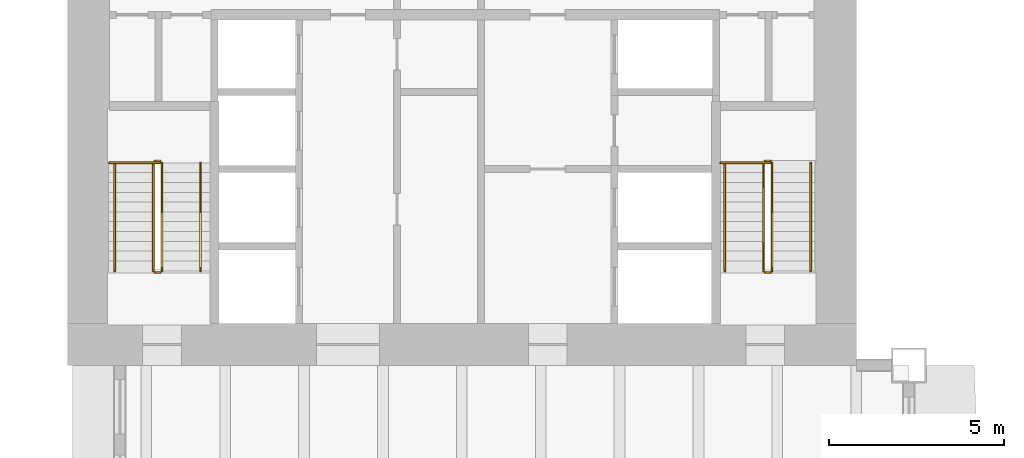
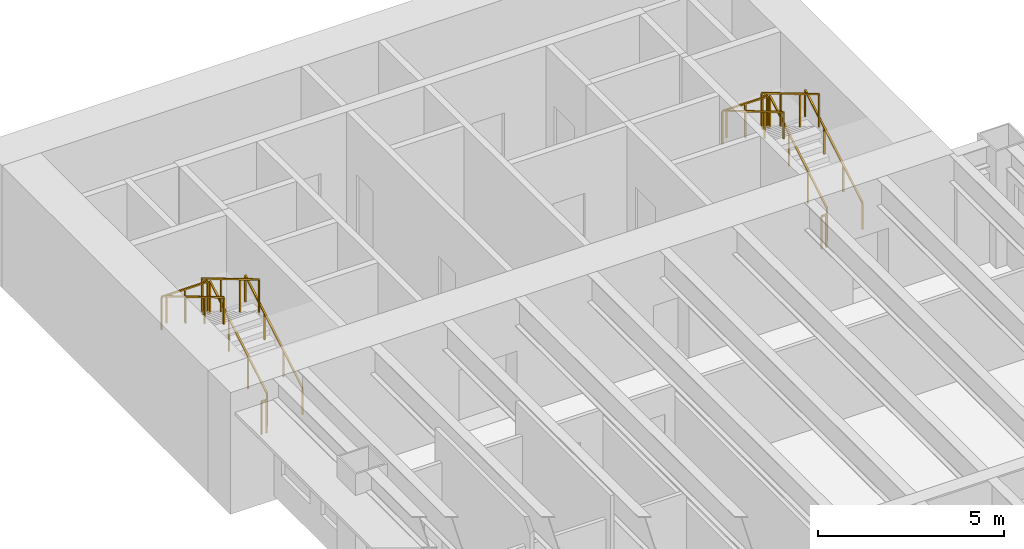
# One storey, part 16 of 16: 14 railings.
"""IFC4 building model written with IfcOpenShell, lengths in metres."""

from ifc_helpers import new_model, si_unit, direction, frame, origin, origin_2d, place, context, subcontext, project, spatial, rectangle, extrude, material, type_object, element, save


model = new_model("IFC4")

# Units and contexts
model_context = context("Model", 3, precision=1e-05, world=origin(), true_north=direction((0.0, 1.0)))
body_context = subcontext(model_context, "Body", "Model", "MODEL_VIEW")
ifc_project = project(units=[si_unit("LENGTHUNIT", "METRE"), si_unit("AREAUNIT", "SQUARE_METRE"), si_unit("VOLUMEUNIT", "CUBIC_METRE"), si_unit("PLANEANGLEUNIT", "RADIAN"), si_unit("MASSUNIT", "GRAM", prefix="KILO")], contexts=[model_context])

# Site, building, storey
site_placement = place(None, origin())
site = spatial("IfcSite", under=ifc_project, at=site_placement, CompositionType="ELEMENT")
building_placement = place(site_placement, origin())
building = spatial("IfcBuilding", under=site, at=building_placement, Name="Sennacour Bend Tower", CompositionType="ELEMENT")
storey_placement = place(building_placement, frame((0.0, 0.0, 123.0)))
storey = spatial("IfcBuildingStorey", under=building, at=storey_placement, Name="L28", CompositionType="ELEMENT", Elevation=123.0)

# Railings
ifc_material = material(Name="Stainless steel", Category="steel")
railing_type_1 = type_object("IfcRailingType", Name="RL-GUARD-1100", PredefinedType="GUARDRAIL", material=ifc_material)
railing_1_placement = place(storey_placement, frame((2.699951171875, 38.699951171875, 0.166748046875)))
element("IfcRailing", 1, at=railing_1_placement, inside=storey, type_object=railing_type_1, Name="L28 SB1 stair guard 1", PredefinedType="GUARDRAIL", context=body_context, shape_type="SweptSolid", body=[
    extrude(rectangle(XDim=0.048095703125, YDim=0.048095703125, at=origin_2d()), frame((0.0, 0.0, 1.076171875), z_axis=(0.0, 0.859308565015, 0.511457515432), x_axis=(-1.0, 0.0, 0.0)), (0.0, 0.0, 1.0), 3.58447265625),
    extrude(rectangle(XDim=0.0419921875, YDim=0.0419921875, at=origin_2d()), origin(), (0.0, 0.0, 1.0), 1.052001953125),
    extrude(rectangle(XDim=0.0419921875, YDim=0.0419921875, at=origin_2d()), frame((0.0, 1.026611328125, 0.611083984375)), (0.0, 0.0, 1.0), 1.052001953125),
    extrude(rectangle(XDim=0.0419921875, YDim=0.0419921875, at=origin_2d()), frame((0.0, 2.053466796875, 1.22216796875)), (0.0, 0.0, 1.0), 1.052001953125),
    extrude(rectangle(XDim=0.0419921875, YDim=0.0419921875, at=origin_2d()), frame((0.0, 3.080078125, 1.833251953125)), (0.0, 0.0, 1.0), 1.052001953125),
])
railing_2_placement = place(storey_placement, frame((2.64990234375, 41.830078125, 2.0)))
element("IfcRailing", 2, at=railing_2_placement, inside=storey, type_object=railing_type_1, Name="L28 SB1 stair guard 2", PredefinedType="GUARDRAIL", context=body_context, shape_type="SweptSolid", body=[
    extrude(rectangle(XDim=0.048095703125, YDim=0.048095703125, at=origin_2d()), frame((0.0, 0.0, 1.076171875), z_axis=(-1.0, 0.0, 0.0), x_axis=(0.0, -1.0, 0.0)), (0.0, 0.0, 1.0), 0.14990234375),
    extrude(rectangle(XDim=0.0419921875, YDim=0.0419921875, at=origin_2d()), origin(), (0.0, 0.0, 1.0), 1.052001953125),
    extrude(rectangle(XDim=0.0419921875, YDim=0.0419921875, at=origin_2d()), frame((-0.14990234375, 0.0, 0.0)), (0.0, 0.0, 1.0), 1.052001953125),
])
railing_3_placement = place(storey_placement, frame((2.449951171875, 41.780029296875, 2.166748046875)))
element("IfcRailing", 3, at=railing_3_placement, inside=storey, type_object=railing_type_1, Name="L28 SB1 stair guard 4", PredefinedType="GUARDRAIL", context=body_context, shape_type="SweptSolid", body=[
    extrude(rectangle(XDim=0.048095703125, YDim=0.048095703125, at=origin_2d()), frame((0.0, 0.0, 1.076171875), z_axis=(0.0, -0.859308565015, 0.511457515432), x_axis=(1.0, 0.0, 0.0)), (0.0, 0.0, 1.0), 3.58447265625),
    extrude(rectangle(XDim=0.0419921875, YDim=0.0419921875, at=origin_2d()), origin(), (0.0, 0.0, 1.0), 1.052001953125),
    extrude(rectangle(XDim=0.0419921875, YDim=0.0419921875, at=origin_2d()), frame((0.0, -1.026611328125, 0.611083984375)), (0.0, 0.0, 1.0), 1.052001953125),
    extrude(rectangle(XDim=0.0419921875, YDim=0.0419921875, at=origin_2d()), frame((0.0, -2.053466796875, 1.22216796875)), (0.0, 0.0, 1.0), 1.052001953125),
    extrude(rectangle(XDim=0.0419921875, YDim=0.0419921875, at=origin_2d()), frame((0.0, -3.080078125, 1.833251953125)), (0.0, 0.0, 1.0), 1.052001953125),
])
railing_4_placement = place(storey_placement, frame((2.64990234375, 38.64990234375, 0.0)))
element("IfcRailing", 4, at=railing_4_placement, inside=storey, type_object=railing_type_1, Name="L28 SB1 stair guard 5", PredefinedType="GUARDRAIL", context=body_context, shape_type="SweptSolid", body=[
    extrude(rectangle(XDim=0.048095703125, YDim=0.048095703125, at=origin_2d()), frame((0.0, 0.0, 1.076171875), z_axis=(-1.0, 0.0, 0.0), x_axis=(0.0, -1.0, 0.0)), (0.0, 0.0, 1.0), 0.14990234375),
    extrude(rectangle(XDim=0.0419921875, YDim=0.0419921875, at=origin_2d()), origin(), (0.0, 0.0, 1.0), 1.052001953125),
    extrude(rectangle(XDim=0.0419921875, YDim=0.0419921875, at=origin_2d()), frame((-0.14990234375, 0.0, 0.0)), (0.0, 0.0, 1.0), 1.052001953125),
])
railing_5_placement = place(storey_placement, frame((2.64990234375, 41.780029296875, 2.0)))
element("IfcRailing", 5, at=railing_5_placement, inside=storey, type_object=railing_type_1, Name="L28 SB1 landing edge guard 51", PredefinedType="GUARDRAIL", context=body_context, shape_type="SweptSolid", body=[
    extrude(rectangle(XDim=0.048095703125, YDim=0.048095703125, at=origin_2d()), frame((0.0, 0.0, 1.076171875), z_axis=(-1.0, 0.0, 0.0), x_axis=(0.0, -1.0, 0.0)), (0.0, 0.0, 1.0), 1.449951171875),
    extrude(rectangle(XDim=0.0419921875, YDim=0.0419921875, at=origin_2d()), origin(), (0.0, 0.0, 1.0), 1.052001953125),
    extrude(rectangle(XDim=0.0419921875, YDim=0.0419921875, at=origin_2d()), frame((-0.72509765625, 0.0, 0.0)), (0.0, 0.0, 1.0), 1.052001953125),
    extrude(rectangle(XDim=0.0419921875, YDim=0.0419921875, at=origin_2d()), frame((-1.449951171875, 0.0, 0.0)), (0.0, 0.0, 1.0), 1.052001953125),
])
railing_6_placement = place(storey_placement, frame((20.10009765625, 38.699951171875, 0.166748046875)))
element("IfcRailing", 6, at=railing_6_placement, inside=storey, type_object=railing_type_1, Name="L28 SB2 stair guard 1", PredefinedType="GUARDRAIL", context=body_context, shape_type="SweptSolid", body=[
    extrude(rectangle(XDim=0.048095703125, YDim=0.048095703125, at=origin_2d()), frame((0.0, 0.0, 1.076171875), z_axis=(0.0, 0.859308565015, 0.511457515432), x_axis=(-1.0, 0.0, 0.0)), (0.0, 0.0, 1.0), 3.58447265625),
    extrude(rectangle(XDim=0.0419921875, YDim=0.0419921875, at=origin_2d()), origin(), (0.0, 0.0, 1.0), 1.052001953125),
    extrude(rectangle(XDim=0.0419921875, YDim=0.0419921875, at=origin_2d()), frame((0.0, 1.026611328125, 0.611083984375)), (0.0, 0.0, 1.0), 1.052001953125),
    extrude(rectangle(XDim=0.0419921875, YDim=0.0419921875, at=origin_2d()), frame((0.0, 2.053466796875, 1.22216796875)), (0.0, 0.0, 1.0), 1.052001953125),
    extrude(rectangle(XDim=0.0419921875, YDim=0.0419921875, at=origin_2d()), frame((0.0, 3.080078125, 1.833251953125)), (0.0, 0.0, 1.0), 1.052001953125),
])
railing_7_placement = place(storey_placement, frame((20.050048828125, 41.830078125, 2.0)))
element("IfcRailing", 7, at=railing_7_placement, inside=storey, type_object=railing_type_1, Name="L28 SB2 stair guard 2", PredefinedType="GUARDRAIL", context=body_context, shape_type="SweptSolid", body=[
    extrude(rectangle(XDim=0.048095703125, YDim=0.048095703125, at=origin_2d()), frame((0.0, 0.0, 1.076171875), z_axis=(-1.0, 0.0, 0.0), x_axis=(0.0, -1.0, 0.0)), (0.0, 0.0, 1.0), 0.150146484375),
    extrude(rectangle(XDim=0.0419921875, YDim=0.0419921875, at=origin_2d()), origin(), (0.0, 0.0, 1.0), 1.052001953125),
    extrude(rectangle(XDim=0.0419921875, YDim=0.0419921875, at=origin_2d()), frame((-0.150146484375, 0.0, 0.0)), (0.0, 0.0, 1.0), 1.052001953125),
])
railing_8_placement = place(storey_placement, frame((19.85009765625, 41.780029296875, 2.166748046875)))
element("IfcRailing", 8, at=railing_8_placement, inside=storey, type_object=railing_type_1, Name="L28 SB2 stair guard 4", PredefinedType="GUARDRAIL", context=body_context, shape_type="SweptSolid", body=[
    extrude(rectangle(XDim=0.048095703125, YDim=0.048095703125, at=origin_2d()), frame((0.0, 0.0, 1.076171875), z_axis=(0.0, -0.859308565015, 0.511457515432), x_axis=(1.0, 0.0, 0.0)), (0.0, 0.0, 1.0), 3.58447265625),
    extrude(rectangle(XDim=0.0419921875, YDim=0.0419921875, at=origin_2d()), origin(), (0.0, 0.0, 1.0), 1.052001953125),
    extrude(rectangle(XDim=0.0419921875, YDim=0.0419921875, at=origin_2d()), frame((0.0, -1.026611328125, 0.611083984375)), (0.0, 0.0, 1.0), 1.052001953125),
    extrude(rectangle(XDim=0.0419921875, YDim=0.0419921875, at=origin_2d()), frame((0.0, -2.053466796875, 1.22216796875)), (0.0, 0.0, 1.0), 1.052001953125),
    extrude(rectangle(XDim=0.0419921875, YDim=0.0419921875, at=origin_2d()), frame((0.0, -3.080078125, 1.833251953125)), (0.0, 0.0, 1.0), 1.052001953125),
])
railing_9_placement = place(storey_placement, frame((20.050048828125, 38.64990234375, 0.0)))
element("IfcRailing", 9, at=railing_9_placement, inside=storey, type_object=railing_type_1, Name="L28 SB2 stair guard 5", PredefinedType="GUARDRAIL", context=body_context, shape_type="SweptSolid", body=[
    extrude(rectangle(XDim=0.048095703125, YDim=0.048095703125, at=origin_2d()), frame((0.0, 0.0, 1.076171875), z_axis=(-1.0, 0.0, 0.0), x_axis=(0.0, -1.0, 0.0)), (0.0, 0.0, 1.0), 0.150146484375),
    extrude(rectangle(XDim=0.0419921875, YDim=0.0419921875, at=origin_2d()), origin(), (0.0, 0.0, 1.0), 1.052001953125),
    extrude(rectangle(XDim=0.0419921875, YDim=0.0419921875, at=origin_2d()), frame((-0.150146484375, 0.0, 0.0)), (0.0, 0.0, 1.0), 1.052001953125),
])
railing_10_placement = place(storey_placement, frame((20.050048828125, 41.780029296875, 2.0)))
element("IfcRailing", 10, at=railing_10_placement, inside=storey, type_object=railing_type_1, Name="L28 SB2 landing edge guard 41", PredefinedType="GUARDRAIL", context=body_context, shape_type="SweptSolid", body=[
    extrude(rectangle(XDim=0.048095703125, YDim=0.048095703125, at=origin_2d()), frame((0.0, 0.0, 1.076171875), z_axis=(-1.0, 0.0, 0.0), x_axis=(0.0, -1.0, 0.0)), (0.0, 0.0, 1.0), 1.425048828125),
    extrude(rectangle(XDim=0.0419921875, YDim=0.0419921875, at=origin_2d()), origin(), (0.0, 0.0, 1.0), 1.052001953125),
    extrude(rectangle(XDim=0.0419921875, YDim=0.0419921875, at=origin_2d()), frame((-0.71240234375, 0.0, 0.0)), (0.0, 0.0, 1.0), 1.052001953125),
    extrude(rectangle(XDim=0.0419921875, YDim=0.0419921875, at=origin_2d()), frame((-1.425048828125, 0.0, 0.0)), (0.0, 0.0, 1.0), 1.052001953125),
])
railing_type_2 = type_object("IfcRailingType", Name="RL-HANDRAIL-900", PredefinedType="HANDRAIL", material=ifc_material)
railing_11_placement = place(storey_placement, frame((3.800048828125, 38.699951171875, 0.166748046875)))
element("IfcRailing", 11, at=railing_11_placement, inside=storey, type_object=railing_type_2, Name="L28 SB1 stair handrail 1", PredefinedType="HANDRAIL", context=body_context, shape_type="SweptSolid", body=[
    extrude(rectangle(XDim=0.048095703125, YDim=0.048095703125, at=origin_2d()), frame((0.0, 0.0, 0.8759765625), z_axis=(0.0, 0.859308565015, 0.511457515432), x_axis=(-1.0, 0.0, 0.0)), (0.0, 0.0, 1.0), 3.58447265625),
    extrude(rectangle(XDim=0.0419921875, YDim=0.0419921875, at=origin_2d()), origin(), (0.0, 0.0, 1.0), 0.851806640625),
    extrude(rectangle(XDim=0.0419921875, YDim=0.0419921875, at=origin_2d()), frame((0.0, 1.026611328125, 0.611083984375)), (0.0, 0.0, 1.0), 0.851806640625),
    extrude(rectangle(XDim=0.0419921875, YDim=0.0419921875, at=origin_2d()), frame((0.0, 2.053466796875, 1.22216796875)), (0.0, 0.0, 1.0), 0.851806640625),
    extrude(rectangle(XDim=0.0419921875, YDim=0.0419921875, at=origin_2d()), frame((0.0, 3.080078125, 1.833251953125)), (0.0, 0.0, 1.0), 0.851806640625),
])
railing_12_placement = place(storey_placement, frame((1.35009765625, 41.780029296875, 2.166748046875)))
element("IfcRailing", 12, at=railing_12_placement, inside=storey, type_object=railing_type_2, Name="L28 SB1 stair handrail 2", PredefinedType="HANDRAIL", context=body_context, shape_type="SweptSolid", body=[
    extrude(rectangle(XDim=0.048095703125, YDim=0.048095703125, at=origin_2d()), frame((0.0, 0.0, 0.8759765625), z_axis=(0.0, -0.859308565015, 0.511457515432), x_axis=(1.0, 0.0, 0.0)), (0.0, 0.0, 1.0), 3.58447265625),
    extrude(rectangle(XDim=0.0419921875, YDim=0.0419921875, at=origin_2d()), origin(), (0.0, 0.0, 1.0), 0.851806640625),
    extrude(rectangle(XDim=0.0419921875, YDim=0.0419921875, at=origin_2d()), frame((0.0, -1.026611328125, 0.611083984375)), (0.0, 0.0, 1.0), 0.851806640625),
    extrude(rectangle(XDim=0.0419921875, YDim=0.0419921875, at=origin_2d()), frame((0.0, -2.053466796875, 1.22216796875)), (0.0, 0.0, 1.0), 0.851806640625),
    extrude(rectangle(XDim=0.0419921875, YDim=0.0419921875, at=origin_2d()), frame((0.0, -3.080078125, 1.833251953125)), (0.0, 0.0, 1.0), 0.851806640625),
])
railing_13_placement = place(storey_placement, frame((21.199951171875, 38.699951171875, 0.166748046875)))
element("IfcRailing", 13, at=railing_13_placement, inside=storey, type_object=railing_type_2, Name="L28 SB2 stair handrail 1", PredefinedType="HANDRAIL", context=body_context, shape_type="SweptSolid", body=[
    extrude(rectangle(XDim=0.048095703125, YDim=0.048095703125, at=origin_2d()), frame((0.0, 0.0, 0.8759765625), z_axis=(0.0, 0.859308565015, 0.511457515432), x_axis=(-1.0, 0.0, 0.0)), (0.0, 0.0, 1.0), 3.58447265625),
    extrude(rectangle(XDim=0.0419921875, YDim=0.0419921875, at=origin_2d()), origin(), (0.0, 0.0, 1.0), 0.851806640625),
    extrude(rectangle(XDim=0.0419921875, YDim=0.0419921875, at=origin_2d()), frame((0.0, 1.026611328125, 0.611083984375)), (0.0, 0.0, 1.0), 0.851806640625),
    extrude(rectangle(XDim=0.0419921875, YDim=0.0419921875, at=origin_2d()), frame((0.0, 2.053466796875, 1.22216796875)), (0.0, 0.0, 1.0), 0.851806640625),
    extrude(rectangle(XDim=0.0419921875, YDim=0.0419921875, at=origin_2d()), frame((0.0, 3.080078125, 1.833251953125)), (0.0, 0.0, 1.0), 0.851806640625),
])
railing_14_placement = place(storey_placement, frame((18.75, 41.780029296875, 2.166748046875)))
element("IfcRailing", 14, at=railing_14_placement, inside=storey, type_object=railing_type_2, Name="L28 SB2 stair handrail 2", PredefinedType="HANDRAIL", context=body_context, shape_type="SweptSolid", body=[
    extrude(rectangle(XDim=0.048095703125, YDim=0.048095703125, at=origin_2d()), frame((0.0, 0.0, 0.8759765625), z_axis=(0.0, -0.859308565015, 0.511457515432), x_axis=(1.0, 0.0, 0.0)), (0.0, 0.0, 1.0), 3.58447265625),
    extrude(rectangle(XDim=0.0419921875, YDim=0.0419921875, at=origin_2d()), origin(), (0.0, 0.0, 1.0), 0.851806640625),
    extrude(rectangle(XDim=0.0419921875, YDim=0.0419921875, at=origin_2d()), frame((0.0, -1.026611328125, 0.611083984375)), (0.0, 0.0, 1.0), 0.851806640625),
    extrude(rectangle(XDim=0.0419921875, YDim=0.0419921875, at=origin_2d()), frame((0.0, -2.053466796875, 1.22216796875)), (0.0, 0.0, 1.0), 0.851806640625),
    extrude(rectangle(XDim=0.0419921875, YDim=0.0419921875, at=origin_2d()), frame((0.0, -3.080078125, 1.833251953125)), (0.0, 0.0, 1.0), 0.851806640625),
])

save(model, "model.ifc")
